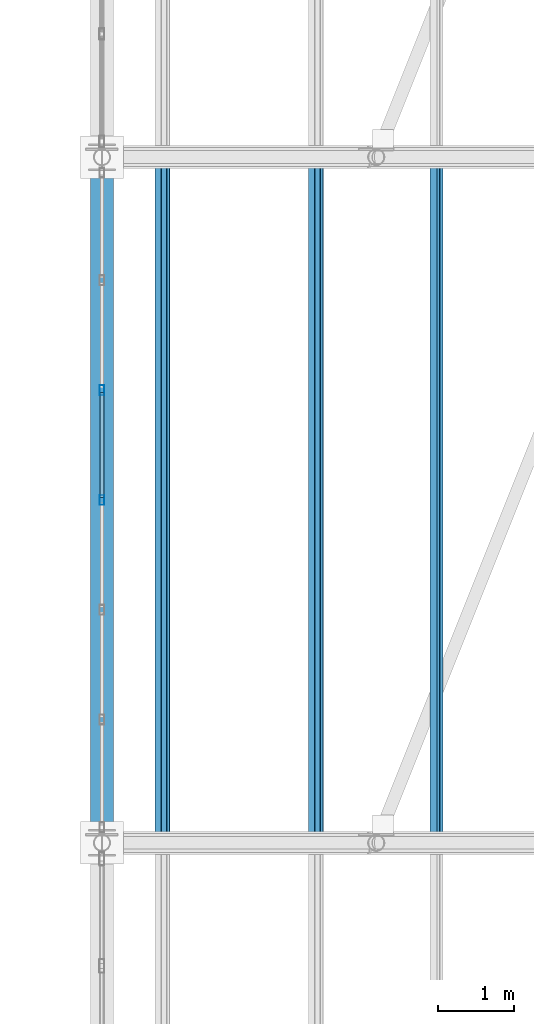
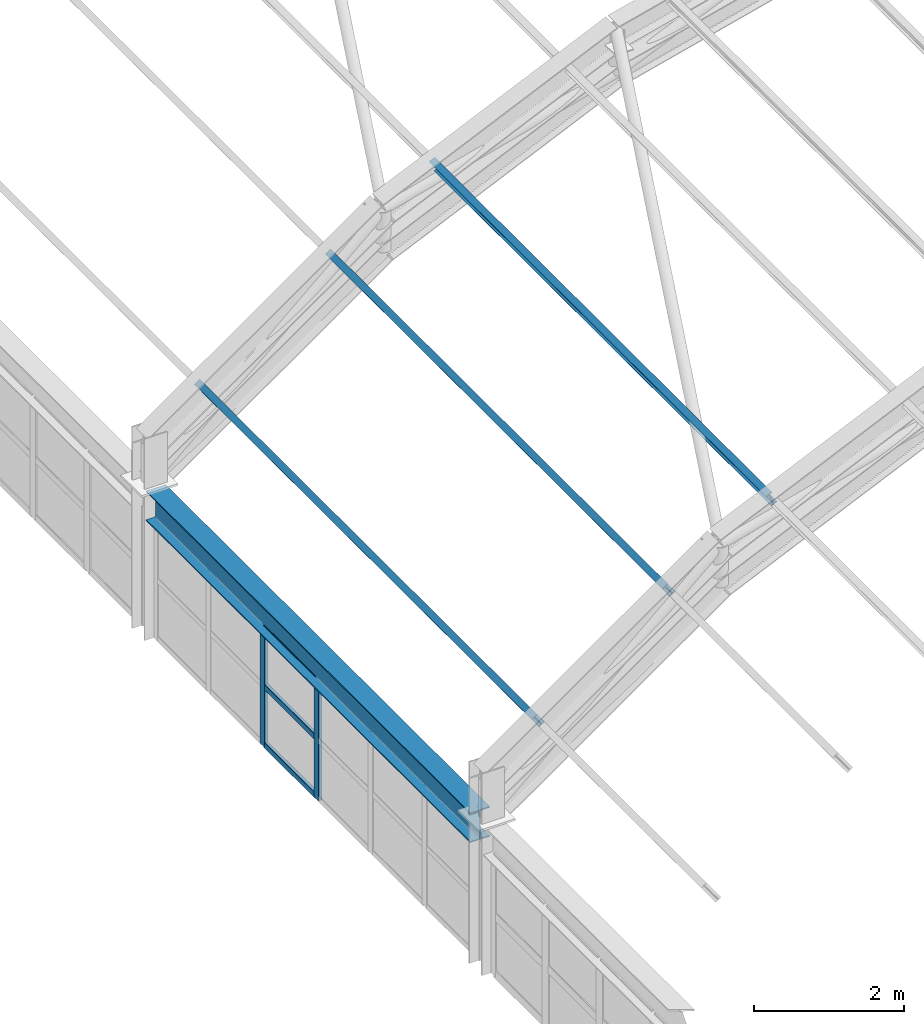
# One storey, part 32 of 121: 8 members, 1 beam, 1 element without a shape of its own.
"""IFC4 building model written with IfcOpenShell, lengths in metres."""

from ifc_helpers import new_model, si_unit, direction, frame, origin, origin_2d, place, context, subcontext, project, spatial, hollow_rectangle, i_section, extrude, material, material_profile, profile_set, type_object, element, aggregate, save


model = new_model("IFC4")

# Units and contexts
model_context = context("Model", 3, precision=1e-05, world=origin(), true_north=direction((0.0, 1.0)))
body_context = subcontext(model_context, "Body", "Model", "MODEL_VIEW")
ifc_project = project(units=[si_unit("LENGTHUNIT", "METRE"), si_unit("AREAUNIT", "SQUARE_METRE"), si_unit("VOLUMEUNIT", "CUBIC_METRE"), si_unit("PLANEANGLEUNIT", "RADIAN"), si_unit("MASSUNIT", "GRAM", prefix="KILO")], contexts=[model_context])

# Site, building, storey
site_placement = place(None, origin())
site = spatial("IfcSite", under=ifc_project, at=site_placement, CompositionType="ELEMENT")
building_placement = place(site_placement, origin())
building = spatial("IfcBuilding", under=site, at=building_placement, Name="Canglan Escarpment Cableway Terminal", CompositionType="ELEMENT")
storey_placement = place(building_placement, frame((0.0, 0.0, 24.60009765625)))
storey = spatial("IfcBuildingStorey", under=building, at=storey_placement, Name="L05", CompositionType="ELEMENT", Elevation=24.60009765625)

# Beam
ifc_material_1 = material(Name="Steel Q355B", Category="steel")
ifc_material_profile_1 = material_profile(ifc_material_1, i_section(OverallWidth=0.300048828125, OverallDepth=0.488037109375, WebThickness=0.010986328125, FlangeThickness=0.01806640625, FilletRadius=0.02587890625, at=origin_2d()), Name="HM 488x300x11x18")
ifc_profile_set_1 = profile_set([ifc_material_profile_1], Name="Steel Q355B")
beam_type = type_object("IfcBeamType", Name="BM-HM488", PredefinedType="BEAM", material=ifc_profile_set_1)
beam_placement = place(storey_placement, frame((137.60009765625, 61.175048828125, 2.1884765625), z_axis=(0.0, 1.0, 0.0), x_axis=(-1.0, 0.0, 0.0)))
element("IfcBeam", 1, at=beam_placement, inside=storey, type_object=beam_type, Name="Vault springing ring girder B-09", PredefinedType="BEAM", context=body_context, shape_type="SweptSolid", body=[
    extrude(i_section(OverallWidth=0.300048828125, OverallDepth=0.488037109375, WebThickness=0.010986328125, FlangeThickness=0.01806640625, FilletRadius=0.02587890625, at=origin_2d()), origin(), (0.0, 0.0, 1.0), 8.64990234375),
])

# Curtain wall, members
ifc_material_2 = material(Name="Anodized bronze aluminium and Low-E double glazing", Category="aluminium")
curtain_wall_type = type_object("IfcCurtainWallType", Name="CW-BAY-8650x1950", PredefinedType="NOTDEFINED", material=ifc_material_2)
curtain_wall_placement = place(storey_placement, origin())
curtain_wall = element("IfcCurtainWall", 2, at=curtain_wall_placement, inside=storey, type_object=curtain_wall_type, Name="Classical bay-between-piers glazed curtain wall CW-66", PredefinedType="NOTDEFINED")
ifc_material_3 = material(Name="Thermally broken anodized aluminium 6063-T6", Category="aluminium")
ifc_material_profile_2 = material_profile(ifc_material_3, hollow_rectangle(XDim=0.06005859375, YDim=0.1298828125, WallThickness=0.0029296875, InnerFilletRadius=0.0029296875, OuterFilletRadius=0.006103515625, at=origin_2d()), Name="ALU-MULL 60x130x3")
ifc_profile_set_2 = profile_set([ifc_material_profile_2], Name="Thermally broken anodized aluminium 6063-T6")
member_type_1 = type_object("IfcMemberType", Name="CWM-01", PredefinedType="MULLION", material=ifc_profile_set_2)
member_1_placement = place(storey_placement, frame((137.60009765625, 66.941650390625, 0.0), z_axis=(0.0, 0.0, 1.0), x_axis=(1.0, 0.0, 0.0)))
member_1 = element("IfcMember", 3, at=member_1_placement, type_object=member_type_1, Name="CW-66 mullion 3", PredefinedType="MULLION", context=body_context, shape_type="SweptSolid", body=[
    extrude(hollow_rectangle(XDim=0.06005859375, YDim=0.1298828125, WallThickness=0.0029296875, InnerFilletRadius=0.0029296875, OuterFilletRadius=0.006103515625, at=origin_2d()), origin(), (0.0, 0.0, 1.0), 1.949951171875),
])
member_2_placement = place(storey_placement, frame((137.60009765625, 65.5, 0.0), z_axis=(0.0, 0.0, 1.0), x_axis=(1.0, 0.0, 0.0)))
member_2 = element("IfcMember", 4, at=member_2_placement, type_object=member_type_1, Name="CW-66 mullion 4", PredefinedType="MULLION", context=body_context, shape_type="SweptSolid", body=[
    extrude(hollow_rectangle(XDim=0.06005859375, YDim=0.1298828125, WallThickness=0.0029296875, InnerFilletRadius=0.0029296875, OuterFilletRadius=0.006103515625, at=origin_2d()), origin(), (0.0, 0.0, 1.0), 1.949951171875),
])
ifc_material_profile_3 = material_profile(ifc_material_3, hollow_rectangle(XDim=0.054931640625, YDim=0.094970703125, WallThickness=0.0029296875, InnerFilletRadius=0.0029296875, OuterFilletRadius=0.006103515625, at=origin_2d()), Name="ALU-TRAN 55x95x3")
ifc_profile_set_3 = profile_set([ifc_material_profile_3], Name="Thermally broken anodized aluminium 6063-T6")
member_type_2 = type_object("IfcMemberType", Name="CWT-01", PredefinedType="USERDEFINED", material=ifc_profile_set_3)
member_3_placement = place(storey_placement, frame((137.60009765625, 66.91162109375, 0.02734375), z_axis=(0.0, -1.0, 0.0), x_axis=(1.0, 0.0, 0.0)))
member_3 = element("IfcMember", 5, at=member_3_placement, type_object=member_type_2, Name="CW-66 transom 3.1", ObjectType="TRANSOM", PredefinedType="USERDEFINED", context=body_context, shape_type="SweptSolid", body=[
    extrude(hollow_rectangle(XDim=0.054931640625, YDim=0.094970703125, WallThickness=0.0029296875, InnerFilletRadius=0.0029296875, OuterFilletRadius=0.006103515625, at=origin_2d()), origin(), (0.0, 0.0, 1.0), 1.381591796875),
])
member_4_placement = place(storey_placement, frame((137.60009765625, 66.91162109375, 0.974853515625), z_axis=(0.0, -1.0, 0.0), x_axis=(1.0, 0.0, 0.0)))
member_4 = element("IfcMember", 6, at=member_4_placement, type_object=member_type_2, Name="CW-66 transom 3.2", ObjectType="TRANSOM", PredefinedType="USERDEFINED", context=body_context, shape_type="SweptSolid", body=[
    extrude(hollow_rectangle(XDim=0.054931640625, YDim=0.094970703125, WallThickness=0.0029296875, InnerFilletRadius=0.0029296875, OuterFilletRadius=0.006103515625, at=origin_2d()), origin(), (0.0, 0.0, 1.0), 1.381591796875),
])
member_5_placement = place(storey_placement, frame((137.60009765625, 66.91162109375, 1.92236328125), z_axis=(0.0, -1.0, 0.0), x_axis=(1.0, 0.0, 0.0)))
member_5 = element("IfcMember", 7, at=member_5_placement, type_object=member_type_2, Name="CW-66 transom 3.3", ObjectType="TRANSOM", PredefinedType="USERDEFINED", context=body_context, shape_type="SweptSolid", body=[
    extrude(hollow_rectangle(XDim=0.054931640625, YDim=0.094970703125, WallThickness=0.0029296875, InnerFilletRadius=0.0029296875, OuterFilletRadius=0.006103515625, at=origin_2d()), origin(), (0.0, 0.0, 1.0), 1.381591796875),
])
aggregate(curtain_wall, [member_1, member_2, member_3, member_4, member_5])

# Members
ifc_material_profile_4 = material_profile(ifc_material_1, i_section(OverallWidth=0.10009765625, OverallDepth=0.199951171875, WebThickness=0.005615234375, FlangeThickness=0.008056640625, FilletRadius=0.010986328125, at=origin_2d()), Name="HN 200x100x5.5x8")
ifc_profile_set_4 = profile_set([ifc_material_profile_4], Name="Steel Q355B")
member_type_3 = type_object("IfcMemberType", Name="MB-VAULT-PUR-HN200", PredefinedType="PURLIN", material=ifc_profile_set_4)
for number, where, z_axis, x_axis, name in (
    (8, (138.39208984375, 61.0, 3.712890625), (0.0, 1.0, 0.0), (-0.817727996784, 0.0, -0.575604832568), "Barrel-vault roof purlin PR-01"),
    (9, (140.407958984375, 61.0, 5.1318359375), (0.0, 1.0, 0.0), (-0.817727996784, 0.0, -0.575604832568), "Barrel-vault roof purlin PR-01"),
    (10, (141.991943359375, 61.0, 6.059814453125), (0.0, 1.0, 0.0), (-0.911740537138, 0.0, -0.410766591799), "Barrel-vault roof purlin PR-01"),
):
    element("IfcMember", number, at=place(storey_placement, frame(where, z_axis=z_axis, x_axis=x_axis)), inside=storey, type_object=member_type_3, Name=name, PredefinedType="PURLIN", context=body_context, shape_type="SweptSolid", body=[
        extrude(i_section(OverallWidth=0.10009765625, OverallDepth=0.199951171875, WebThickness=0.005615234375, FlangeThickness=0.008056640625, FilletRadius=0.010986328125, at=origin_2d()), origin(), (0.0, 0.0, 1.0), 9.0),
    ])

save(model, "model.ifc")
